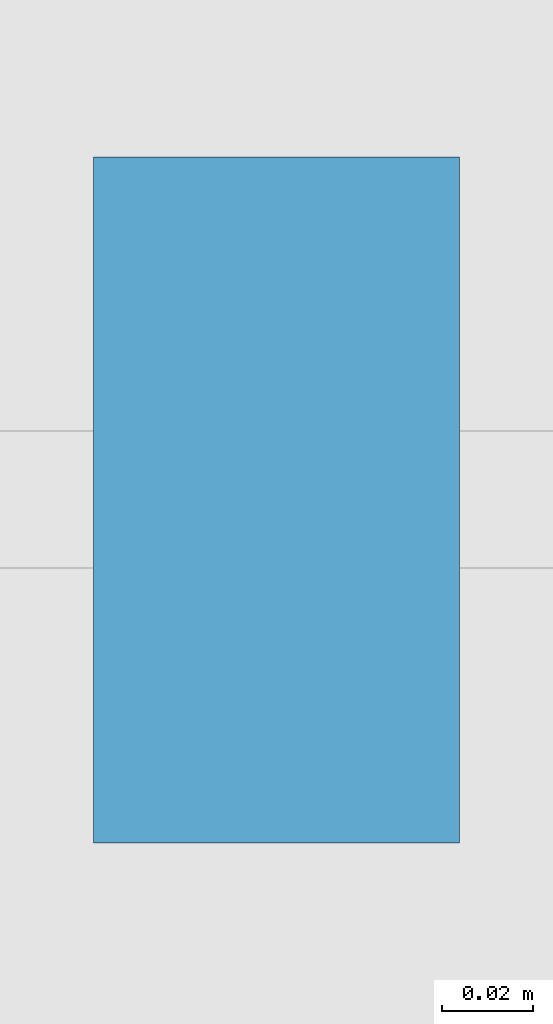
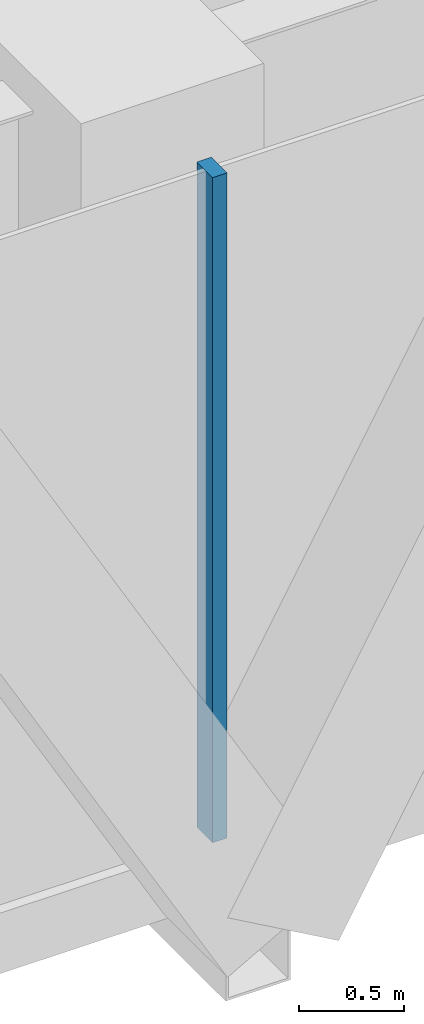
# One storey, part 5 of 23: 1 member, 1 element without a shape of its own.
"""IFC4 building model written with IfcOpenShell, lengths in metres."""

from ifc_helpers import new_model, si_unit, direction, frame, origin, origin_2d, place, context, subcontext, project, spatial, rectangle, extrude, material, layer, layer_set, material_profile, profile_set, type_object, element, aggregate, save


model = new_model("IFC4")

# Units and contexts
model_context = context("Model", 3, precision=1e-05, world=origin(), true_north=direction((0.0, 1.0)))
body_context = subcontext(model_context, "Body", "Model", "MODEL_VIEW")
ifc_project = project(units=[si_unit("LENGTHUNIT", "METRE"), si_unit("AREAUNIT", "SQUARE_METRE"), si_unit("VOLUMEUNIT", "CUBIC_METRE"), si_unit("PLANEANGLEUNIT", "RADIAN"), si_unit("MASSUNIT", "GRAM", prefix="KILO")], contexts=[model_context])

# Site, building, storey
site_placement = place(None, origin())
site = spatial("IfcSite", under=ifc_project, at=site_placement, CompositionType="ELEMENT")
building_placement = place(site_placement, origin())
building = spatial("IfcBuilding", under=site, at=building_placement, Name="Firuza Gate Tower and Library", CompositionType="ELEMENT")
storey_placement = place(building_placement, frame((0.0, 0.0, 56.800048828125)))
storey = spatial("IfcBuildingStorey", under=building, at=storey_placement, Name="L12", CompositionType="ELEMENT", Elevation=56.800048828125)

# Curtain wall, member
ifc_material_1 = material(Name="Aluminium 6063-T6", Category="aluminium")
ifc_layer = layer(ifc_material_1, 0.14990234375)
ifc_layer_set = layer_set([ifc_layer], Name="Unitised curtain wall, offices")
curtain_wall_type = type_object("IfcCurtainWallType", Name="Unitised curtain wall, offices", PredefinedType="NOTDEFINED", material=ifc_layer_set)
curtain_wall_placement = place(storey_placement, origin())
curtain_wall = element("IfcCurtainWall", 1, at=curtain_wall_placement, inside=storey, type_object=curtain_wall_type, Name="CW1 L12 S face", PredefinedType="NOTDEFINED")
ifc_material_2 = material(Name="Aluminium 6063-T6", Category="aluminium")
ifc_material_profile = material_profile(ifc_material_2, rectangle(XDim=0.14990234375, YDim=0.080078125, at=origin_2d()))
ifc_profile_set = profile_set([ifc_material_profile], Name="Aluminium 6063-T6")
member_type = type_object("IfcMemberType", Name="Curtain wall mullion 80x150", PredefinedType="MULLION", material=ifc_profile_set)
member_placement = place(storey_placement, frame((75.0, 54.25390625, 0.14990234375), z_axis=(0.0, 0.0, 1.0), x_axis=(0.0, 1.0, 0.0)))
member = element("IfcMember", 2, at=member_placement, type_object=member_type, Name="Mullion", PredefinedType="MULLION", context=body_context, shape_type="SweptSolid", body=[
    extrude(rectangle(XDim=0.14990234375, YDim=0.080078125, at=origin_2d()), origin(), (0.0, 0.0, 1.0), 3.85009765625),
])
aggregate(curtain_wall, [member])

save(model, "model.ifc")
